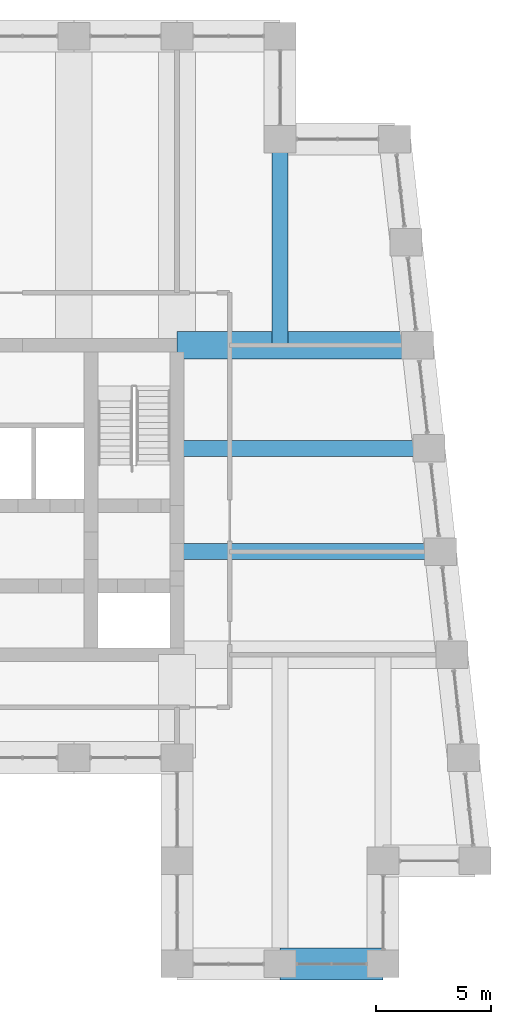
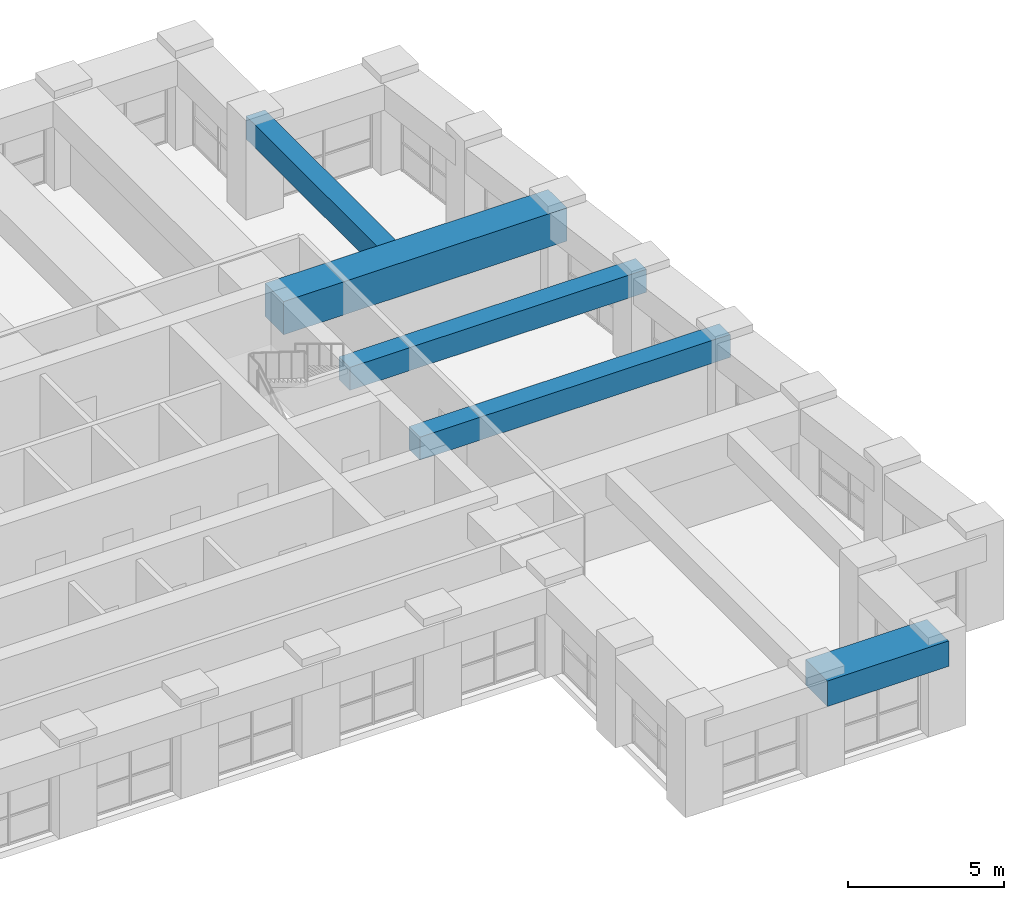
# One storey, part 5 of 15: 5 beams.
"""IFC4 building model written with IfcOpenShell, lengths in metres."""

from ifc_helpers import new_model, si_unit, direction, frame, origin, origin_2d, place, context, subcontext, project, spatial, rectangle, extrude, material, material_profile, profile_set, type_object, element, save


model = new_model("IFC4")

# Units and contexts
model_context = context("Model", 3, precision=1e-05, world=origin(), true_north=direction((0.0, 1.0)))
body_context = subcontext(model_context, "Body", "Model", "MODEL_VIEW")
ifc_project = project(units=[si_unit("LENGTHUNIT", "METRE"), si_unit("AREAUNIT", "SQUARE_METRE"), si_unit("VOLUMEUNIT", "CUBIC_METRE"), si_unit("PLANEANGLEUNIT", "RADIAN"), si_unit("MASSUNIT", "GRAM", prefix="KILO")], contexts=[model_context])

# Site, building, storey
site_placement = place(None, origin())
site = spatial("IfcSite", under=ifc_project, at=site_placement, CompositionType="ELEMENT")
building_placement = place(site_placement, origin())
building = spatial("IfcBuilding", under=site, at=building_placement, Name="Kilele Tower Hotel", CompositionType="ELEMENT")
storey_placement = place(building_placement, frame((0.0, 0.0, 285.800048828125)))
storey = spatial("IfcBuildingStorey", under=building, at=storey_placement, Name="L73", CompositionType="ELEMENT", Elevation=285.800048828125)

# Beams
ifc_material_1 = material(Name="Concrete C60/75", Category="concrete")
ifc_material_profile_1 = material_profile(ifc_material_1, rectangle(XDim=0.699951171875, YDim=0.89990234375, at=origin_2d()))
ifc_profile_set_1 = profile_set([ifc_material_profile_1], Name="Concrete C60/75")
beam_type_1 = type_object("IfcBeamType", Name="Beam RC 700x900 C60/75 mid span", PredefinedType="BEAM", material=ifc_profile_set_1)
beam_1_placement = place(storey_placement, frame((47.5, 18.0, 3.14990234375), z_axis=(-1.0, 0.0, 0.0), x_axis=(0.0, -1.0, 0.0)))
element("IfcBeam", 1, at=beam_1_placement, inside=storey, type_object=beam_type_1, Name="Beam B2 level CROWN", PredefinedType="BEAM", context=body_context, shape_type="SweptSolid", body=[
    extrude(rectangle(XDim=0.699951171875, YDim=0.89990234375, at=origin_2d()), origin(), (0.0, 0.0, 1.0), 11.5),
])
beam_2_placement = place(storey_placement, frame((47.0, 22.5, 3.14990234375), z_axis=(-1.0, 0.0, 0.0), x_axis=(0.0, -1.0, 0.0)))
element("IfcBeam", 2, at=beam_2_placement, inside=storey, type_object=beam_type_1, Name="Beam B2 level CROWN", PredefinedType="BEAM", context=body_context, shape_type="SweptSolid", body=[
    extrude(rectangle(XDim=0.699951171875, YDim=0.89990234375, at=origin_2d()), origin(), (0.0, 0.0, 1.0), 11.0),
])
beam_3_placement = place(storey_placement, frame((40.5, 36.0, 3.14990234375), z_axis=(0.0, -1.0, 0.0), x_axis=(1.0, 0.0, 0.0)))
element("IfcBeam", 3, at=beam_3_placement, inside=storey, type_object=beam_type_1, Name="Beam B2 level CROWN", PredefinedType="BEAM", context=body_context, shape_type="SweptSolid", body=[
    extrude(rectangle(XDim=0.699951171875, YDim=0.89990234375, at=origin_2d()), origin(), (0.0, 0.0, 1.0), 9.0),
])
ifc_material_2 = material(Name="Concrete C60/75", Category="concrete")
ifc_material_profile_2 = material_profile(ifc_material_2, rectangle(XDim=1.199951171875, YDim=1.300048828125, at=origin_2d()))
ifc_profile_set_2 = profile_set([ifc_material_profile_2], Name="Concrete C60/75")
beam_type_2 = type_object("IfcBeamType", Name="Girder RC 1200x1300 C60/75 mid span", PredefinedType="BEAM", material=ifc_profile_set_2)
beam_4_placement = place(storey_placement, frame((46.5, 27.0, 2.949951171875), z_axis=(-1.0, 0.0, 0.0), x_axis=(0.0, -1.0, 0.0)))
element("IfcBeam", 4, at=beam_4_placement, inside=storey, type_object=beam_type_2, Name="Girder G3 level CROWN", PredefinedType="BEAM", context=body_context, shape_type="SweptSolid", body=[
    extrude(rectangle(XDim=1.199951171875, YDim=1.300048828125, at=origin_2d()), origin(), (0.0, 0.0, 1.0), 10.5),
])
ifc_material_3 = material(Name="Concrete C60/75", Category="concrete")
ifc_material_profile_3 = material_profile(ifc_material_3, rectangle(XDim=1.39990234375, YDim=1.0, at=origin_2d()))
ifc_profile_set_3 = profile_set([ifc_material_profile_3], Name="Concrete C60/75")
beam_type_3 = type_object("IfcBeamType", Name="Spandrel RC 1400x1000 C60/75", PredefinedType="SPANDREL", material=ifc_profile_set_3)
beam_5_placement = place(storey_placement, frame((40.5, 0.0, 3.099853515625), z_axis=(1.0, 0.0, 0.0), x_axis=(0.0, 1.0, 0.0)))
element("IfcBeam", 5, at=beam_5_placement, inside=storey, type_object=beam_type_3, Name="Spandrel SP1 level CROWN", PredefinedType="SPANDREL", context=body_context, shape_type="SweptSolid", body=[
    extrude(rectangle(XDim=1.39990234375, YDim=1.0, at=origin_2d()), origin(), (0.0, 0.0, 1.0), 4.5),
])

save(model, "model.ifc")
